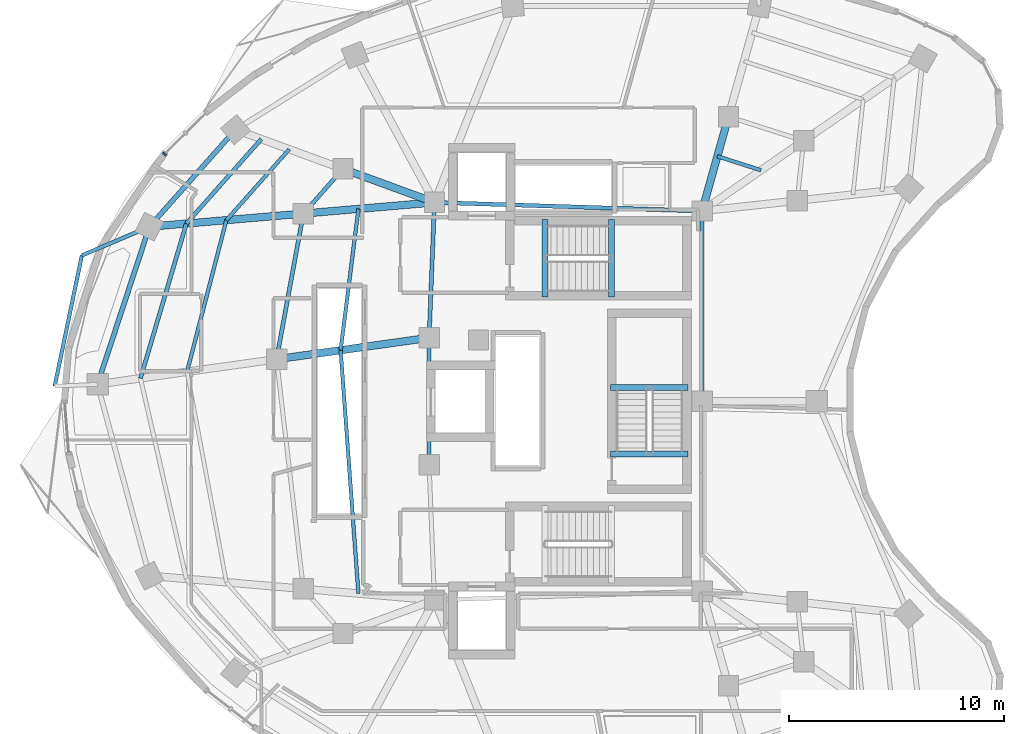
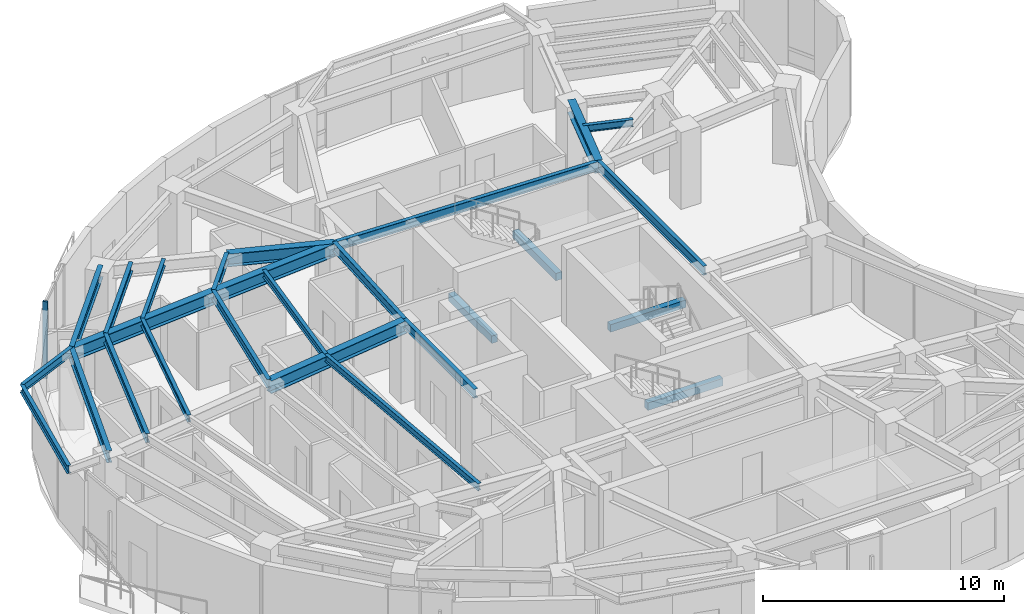
# One storey, part 3 of 13: 26 beams, 1 member, 1 element without a shape of its own.
"""IFC4 building model written with IfcOpenShell, lengths in metres."""

from ifc_helpers import new_model, si_unit, direction, frame, origin, origin_2d, place, context, subcontext, project, spatial, rectangle, i_section, extrude, material, layer, layer_set, material_profile, profile_set, type_object, element, aggregate, save


model = new_model("IFC4")

# Units and contexts
model_context = context("Model", 3, precision=1e-05, world=origin(), true_north=direction((0.0, 1.0)))
body_context = subcontext(model_context, "Body", "Model", "MODEL_VIEW")
ifc_project = project(units=[si_unit("LENGTHUNIT", "METRE"), si_unit("AREAUNIT", "SQUARE_METRE"), si_unit("VOLUMEUNIT", "CUBIC_METRE"), si_unit("PLANEANGLEUNIT", "RADIAN"), si_unit("MASSUNIT", "GRAM", prefix="KILO")], contexts=[model_context])

# Site, building, storey
site_placement = place(None, origin())
site = spatial("IfcSite", under=ifc_project, at=site_placement, CompositionType="ELEMENT")
building_placement = place(site_placement, origin())
building = spatial("IfcBuilding", under=site, at=building_placement, Name="Korentha Bioscience Tower", CompositionType="ELEMENT")
storey_placement = place(building_placement, frame((0.0, 0.0, 158.39990234375)))
storey = spatial("IfcBuildingStorey", under=building, at=storey_placement, Name="L36", CompositionType="ELEMENT", Elevation=158.39990234375)

# Beams
ifc_material_1 = material(Name="Concrete C50", Category="concrete")
ifc_material_profile_1 = material_profile(ifc_material_1, rectangle(XDim=0.280029296875, YDim=0.3798828125, at=origin_2d()), Name="Concrete C50")
ifc_profile_set_1 = profile_set([ifc_material_profile_1], Name="Concrete C50 (ST-HB380)")
beam_type_1 = type_object("IfcBeamType", Name="Concrete Stair Header Beam RC 280x380", PredefinedType="BEAM", material=ifc_profile_set_1)
for number, where, z_axis, x_axis, name in (
    (1, (30.25, 31.85009765625, -0.18994140625), (0.0, 1.0, 0.0), (-1.0, 0.0, 0.0), "L36 ST-1 Concrete Stair Header Beam"),
    (2, (33.330078125, 31.85009765625, 1.91015625), (0.0, 1.0, 0.0), (-1.0, 0.0, 0.0), "L36 ST-1 Half-Landing Header Beam 1"),
    (3, (36.89990234375, 24.550048828125, -0.18994140625), (-1.0, 0.0, 0.0), (0.0, -1.0, 0.0), "L36 ST-3 Concrete Stair Header Beam"),
    (4, (36.89990234375, 27.6298828125, 1.91015625), (-1.0, 0.0, 0.0), (0.0, -1.0, 0.0), "L36 ST-3 Half-Landing Header Beam 1"),
):
    element("IfcBeam", number, at=place(storey_placement, frame(where, z_axis=z_axis, x_axis=x_axis)), inside=storey, type_object=beam_type_1, Name=name, PredefinedType="BEAM", context=body_context, shape_type="SweptSolid", body=[
        extrude(rectangle(XDim=0.280029296875, YDim=0.3798828125, at=origin_2d()), origin(), (0.0, 0.0, 1.0), 3.599853515625),
    ])
ifc_material_2 = material(Name="Steel S355", Category="steel")
ifc_material_profile_2 = material_profile(ifc_material_2, i_section(OverallWidth=0.18994140625, OverallDepth=0.45703125, WebThickness=0.009033203125, FlangeThickness=0.014404296875, at=origin_2d()), Name="Steel S355")
ifc_profile_set_2 = profile_set([ifc_material_profile_2], Name="Steel S355 (MB-460)")
beam_type_2 = type_object("IfcBeamType", Name="Mid-Ring Tie Girder W460x74", PredefinedType="BEAM", material=ifc_profile_set_2)
beam_1_placement = place(storey_placement, frame((20.84228515625, 37.807861328125, 3.671630859375), z_axis=(-0.663512238321, -0.748165429299, 0.0), x_axis=(0.748165429299, -0.663512238321, 0.0)))
element("IfcBeam", 5, at=beam_1_placement, inside=storey, type_object=beam_type_2, Name="L36 Mid-Ring Tie Girder 05", PredefinedType="BEAM", context=body_context, shape_type="SweptSolid", body=[
    extrude(i_section(OverallWidth=0.18994140625, OverallDepth=0.45703125, WebThickness=0.009033203125, FlangeThickness=0.014404296875, at=origin_2d()), origin(), (0.0, 0.0, 1.0), 2.77734375),
])
beam_2_placement = place(storey_placement, frame((18.99951171875, 35.72998046875, 3.671630859375), z_axis=(-0.180880998363, -0.98350498953, 0.0), x_axis=(0.98350498953, -0.180880998363, 0.0)))
element("IfcBeam", 6, at=beam_2_placement, inside=storey, type_object=beam_type_2, Name="L36 Mid-Ring Tie Girder 06", PredefinedType="BEAM", context=body_context, shape_type="SweptSolid", body=[
    extrude(i_section(OverallWidth=0.18994140625, OverallDepth=0.45703125, WebThickness=0.009033203125, FlangeThickness=0.014404296875, at=origin_2d()), origin(), (0.0, 0.0, 1.0), 6.888916015625),
])
beam_3_placement = place(storey_placement, frame((37.550048828125, 35.85009765625, 3.671630859375), z_axis=(-0.999484526071, 0.032104238723, 0.0), x_axis=(-0.032104238723, -0.999484526071, 0.0)))
element("IfcBeam", 7, at=beam_3_placement, inside=storey, type_object=beam_type_2, Name="L36 Core Ring Tie Girder 01", PredefinedType="BEAM", context=body_context, shape_type="SweptSolid", body=[
    extrude(i_section(OverallWidth=0.18994140625, OverallDepth=0.45703125, WebThickness=0.009033203125, FlangeThickness=0.014404296875, at=origin_2d()), origin(), (0.0, 0.0, 1.0), 12.456298828125),
])
beam_4_placement = place(storey_placement, frame((25.10009765625, 36.25, 3.671630859375), z_axis=(-0.039651025576, -0.999213588864, 0.0), x_axis=(0.999213588864, -0.039651025576, 0.0)))
element("IfcBeam", 8, at=beam_4_placement, inside=storey, type_object=beam_type_2, Name="L36 Core Ring Tie Girder 02", PredefinedType="BEAM", context=body_context, shape_type="SweptSolid", body=[
    extrude(i_section(OverallWidth=0.18994140625, OverallDepth=0.45703125, WebThickness=0.009033203125, FlangeThickness=0.014404296875, at=origin_2d()), origin(), (0.0, 0.0, 1.0), 6.304931640625),
])
beam_5_placement = place(storey_placement, frame((24.85009765625, 29.949951171875, 3.671630859375), z_axis=(0.0, -1.0, 0.0), x_axis=(1.0, 0.0, 0.0)))
element("IfcBeam", 9, at=beam_5_placement, inside=storey, type_object=beam_type_2, Name="L36 Core Ring Tie Girder 03", PredefinedType="BEAM", context=body_context, shape_type="SweptSolid", body=[
    extrude(i_section(OverallWidth=0.18994140625, OverallDepth=0.45703125, WebThickness=0.009033203125, FlangeThickness=0.014404296875, at=origin_2d()), origin(), (0.0, 0.0, 1.0), 5.89990234375),
])
beam_6_placement = place(storey_placement, frame((37.550048828125, 27.0, 3.671630859375), z_axis=(0.0, 1.0, 0.0), x_axis=(-1.0, 0.0, 0.0)))
element("IfcBeam", 10, at=beam_6_placement, inside=storey, type_object=beam_type_2, Name="L36 Core Ring Tie Girder 07", PredefinedType="BEAM", context=body_context, shape_type="SweptSolid", body=[
    extrude(i_section(OverallWidth=0.18994140625, OverallDepth=0.45703125, WebThickness=0.009033203125, FlangeThickness=0.014404296875, at=origin_2d()), origin(), (0.0, 0.0, 1.0), 8.85009765625),
])

# Curtain wall, member
ifc_material_3 = material(Name="Thermally Broken Aluminium Frame", Category="aluminium")
ifc_layer = layer(ifc_material_3, 0.219970703125, Name="Thermally Broken Aluminium Frame")
ifc_layer_set = layer_set([ifc_layer], Name="Thermally Broken Aluminium Frame (CW-T1)")
curtain_wall_type = type_object("IfcCurtainWallType", Name="Standard Bioscience Lab Unitised Curtain Wall CW-T1", PredefinedType="USERDEFINED", material=ifc_layer_set)
curtain_wall_placement = place(storey_placement, origin())
curtain_wall = element("IfcCurtainWall", 11, at=curtain_wall_placement, inside=storey, type_object=curtain_wall_type, Name="L36 Curtain Wall 13", ObjectType="UNITISED", PredefinedType="USERDEFINED")
ifc_material_4 = material(Name="Anodised Aluminium 6063-T6", Category="aluminium")
ifc_material_profile_3 = material_profile(ifc_material_4, rectangle(XDim=0.090087890625, YDim=0.199951171875, at=origin_2d()), Name="Anodised Aluminium 6063-T6")
ifc_profile_set_3 = profile_set([ifc_material_profile_3], Name="Anodised Aluminium 6063-T6 (CW-MUL)")
member_type = type_object("IfcMemberType", Name="Mullion RECT 90x200", PredefinedType="MULLION", material=ifc_profile_set_3)
member_placement = place(storey_placement, frame((12.53515625, 38.502685546875, 0.0), z_axis=(0.0, 0.0, 1.0), x_axis=(-0.711460557971, -0.702726030862, 0.0)))
member = element("IfcMember", 12, at=member_placement, type_object=member_type, Name="CW-L36-13 Mullion 3", PredefinedType="MULLION", context=body_context, shape_type="SweptSolid", body=[
    extrude(rectangle(XDim=0.090087890625, YDim=0.199951171875, at=origin_2d()), origin(), (0.0, 0.0, 1.0), 3.900146484375),
])
aggregate(curtain_wall, [member])

# Beams
ifc_material_profile_4 = material_profile(ifc_material_2, i_section(OverallWidth=0.22802734375, OverallDepth=0.60791015625, WebThickness=0.01123046875, FlangeThickness=0.017333984375, at=origin_2d()), Name="Steel S355")
ifc_profile_set_4 = profile_set([ifc_material_profile_4], Name="Steel S355 (SB-610)")
beam_type_3 = type_object("IfcBeamType", Name="Perimeter Ring Spandrel Girder W610x113", PredefinedType="SPANDREL", material=ifc_profile_set_4)
beam_7_placement = place(storey_placement, frame((15.843994140625, 39.63671875, 3.59619140625), z_axis=(-0.663502544942, -0.748174025782, 0.0), x_axis=(0.748174025782, -0.663502544942, 0.0)))
element("IfcBeam", 13, at=beam_7_placement, inside=storey, type_object=beam_type_3, Name="L36 Perimeter Spandrel Girder 05", PredefinedType="SPANDREL", context=body_context, shape_type="SweptSolid", body=[
    extrude(i_section(OverallWidth=0.22802734375, OverallDepth=0.60791015625, WebThickness=0.01123046875, FlangeThickness=0.017333984375, at=origin_2d()), origin(), (0.0, 0.0, 1.0), 6.037841796875),
])
beam_8_placement = place(storey_placement, frame((11.837890625, 35.119384765625, 3.59619140625), z_axis=(-0.312820215824, -0.949812356506, 0.0), x_axis=(0.949812356506, -0.312820215824, 0.0)))
element("IfcBeam", 14, at=beam_8_placement, inside=storey, type_object=beam_type_3, Name="L36 Perimeter Spandrel Girder 06", PredefinedType="SPANDREL", context=body_context, shape_type="SweptSolid", body=[
    extrude(i_section(OverallWidth=0.22802734375, OverallDepth=0.60791015625, WebThickness=0.01123046875, FlangeThickness=0.017333984375, at=origin_2d()), origin(), (0.0, 0.0, 1.0), 7.720947265625),
])
ifc_material_profile_5 = material_profile(ifc_material_2, i_section(OverallWidth=0.18994140625, OverallDepth=0.45703125, WebThickness=0.009033203125, FlangeThickness=0.014404296875, at=origin_2d()), Name="Steel S355")
ifc_profile_set_5 = profile_set([ifc_material_profile_5], Name="Steel S355 (RB-460)")
beam_type_4 = type_object("IfcBeamType", Name="Radial Laboratory Beam W460x74", PredefinedType="BEAM", material=ifc_profile_set_5)
beam_9_placement = place(storey_placement, frame((17.043701171875, 39.197998046875, 3.671630859375), z_axis=(-0.663495511182, -0.748180263467, 0.0), x_axis=(0.748180263467, -0.663495511182, 0.0)))
element("IfcBeam", 15, at=beam_9_placement, inside=storey, type_object=beam_type_4, Name="L36 Secondary Floor Beam JSTO-05", PredefinedType="BEAM", context=body_context, shape_type="SweptSolid", body=[
    extrude(i_section(OverallWidth=0.18994140625, OverallDepth=0.45703125, WebThickness=0.009033203125, FlangeThickness=0.014404296875, at=origin_2d()), origin(), (0.0, 0.0, 1.0), 5.255615234375),
])
beam_10_placement = place(storey_placement, frame((13.556640625, 35.265869140625, 3.671630859375), z_axis=(-0.284283148615, -0.958740367051, 0.0), x_axis=(0.958740367051, -0.284283148615, 0.0)))
element("IfcBeam", 16, at=beam_10_placement, inside=storey, type_object=beam_type_4, Name="L36 Secondary Floor Beam JSTO-06", PredefinedType="BEAM", context=body_context, shape_type="SweptSolid", body=[
    extrude(i_section(OverallWidth=0.18994140625, OverallDepth=0.45703125, WebThickness=0.009033203125, FlangeThickness=0.014404296875, at=origin_2d()), origin(), (0.0, 0.0, 1.0), 7.50927734375),
])
ifc_material_profile_6 = material_profile(ifc_material_2, i_section(OverallWidth=0.35009765625, OverallDepth=0.64990234375, WebThickness=0.01611328125, FlangeThickness=0.02490234375, at=origin_2d()), Name="Steel S355")
ifc_profile_set_6 = profile_set([ifc_material_profile_6], Name="Steel S355 (RB-650)")
beam_type_5 = type_object("IfcBeamType", Name="Radial Laboratory Girder CVS 650x208", PredefinedType="BEAM", material=ifc_profile_set_6)
beam_11_placement = place(storey_placement, frame((37.550048828125, 35.85009765625, 3.5751953125), z_axis=(0.269477001654, 0.963006825303, 0.0), x_axis=(-0.963006825303, 0.269477001654, 0.0)))
element("IfcBeam", 17, at=beam_11_placement, inside=storey, type_object=beam_type_5, Name="L36 Inner Radial Girder 02", PredefinedType="BEAM", context=body_context, shape_type="SweptSolid", body=[
    extrude(i_section(OverallWidth=0.35009765625, OverallDepth=0.64990234375, WebThickness=0.01611328125, FlangeThickness=0.02490234375, at=origin_2d()), origin(), (0.0, 0.0, 1.0), 4.559814453125),
])
beam_12_placement = place(storey_placement, frame((25.10009765625, 36.25, 3.5751953125), z_axis=(-0.939113952431, 0.343605856105, 0.0), x_axis=(-0.343605856105, -0.939113952431, 0.0)))
element("IfcBeam", 18, at=beam_12_placement, inside=storey, type_object=beam_type_5, Name="L36 Inner Radial Girder 05", PredefinedType="BEAM", context=body_context, shape_type="SweptSolid", body=[
    extrude(i_section(OverallWidth=0.35009765625, OverallDepth=0.64990234375, WebThickness=0.01611328125, FlangeThickness=0.02490234375, at=origin_2d()), origin(), (0.0, 0.0, 1.0), 4.533935546875),
])
beam_13_placement = place(storey_placement, frame((25.10009765625, 36.25, 3.5751953125), z_axis=(-0.996386672138, -0.084932912264, 0.0), x_axis=(0.084932912264, -0.996386672138, 0.0)))
element("IfcBeam", 19, at=beam_13_placement, inside=storey, type_object=beam_type_5, Name="L36 Inner Radial Girder 06", PredefinedType="BEAM", context=body_context, shape_type="SweptSolid", body=[
    extrude(i_section(OverallWidth=0.35009765625, OverallDepth=0.64990234375, WebThickness=0.01611328125, FlangeThickness=0.02490234375, at=origin_2d()), origin(), (0.0, 0.0, 1.0), 6.122802734375),
])
beam_14_placement = place(storey_placement, frame((18.99951171875, 35.72998046875, 3.5751953125), z_axis=(-0.996385111181, -0.084951222577, 0.0), x_axis=(0.084951222577, -0.996385111181, 0.0)))
element("IfcBeam", 20, at=beam_14_placement, inside=storey, type_object=beam_type_5, Name="L36 Outer Radial Girder 06", PredefinedType="BEAM", context=body_context, shape_type="SweptSolid", body=[
    extrude(i_section(OverallWidth=0.35009765625, OverallDepth=0.64990234375, WebThickness=0.01611328125, FlangeThickness=0.02490234375, at=origin_2d()), origin(), (0.0, 0.0, 1.0), 7.1875),
])
beam_15_placement = place(storey_placement, frame((24.85009765625, 29.949951171875, 3.5751953125), z_axis=(-0.990306724295, -0.138897774699, 0.0), x_axis=(0.138897774699, -0.990306724295, 0.0)))
element("IfcBeam", 21, at=beam_15_placement, inside=storey, type_object=beam_type_5, Name="L36 Inner Radial Girder 07", PredefinedType="BEAM", context=body_context, shape_type="SweptSolid", body=[
    extrude(i_section(OverallWidth=0.35009765625, OverallDepth=0.64990234375, WebThickness=0.01611328125, FlangeThickness=0.02490234375, at=origin_2d()), origin(), (0.0, 0.0, 1.0), 7.166259765625),
])
ifc_material_profile_7 = material_profile(ifc_material_2, i_section(OverallWidth=0.1708984375, OverallDepth=0.35498046875, WebThickness=0.007080078125, FlangeThickness=0.01171875, at=origin_2d()), Name="Steel S355")
ifc_profile_set_7 = profile_set([ifc_material_profile_7], Name="Steel S355 (JB-360)")
beam_type_6 = type_object("IfcBeamType", Name="Secondary Laboratory Joist W360x51", PredefinedType="JOIST", material=ifc_profile_set_7)
beam_16_placement = place(storey_placement, frame((40.290283203125, 37.7451171875, 3.72265625), z_axis=(-0.952010669267, 0.306064838885, 0.0), x_axis=(-0.306064838885, -0.952010669267, 0.0)))
element("IfcBeam", 22, at=beam_16_placement, inside=storey, type_object=beam_type_6, Name="L36 Inner Bay Joist 01", PredefinedType="JOIST", context=body_context, shape_type="SweptSolid", body=[
    extrude(i_section(OverallWidth=0.1708984375, OverallDepth=0.35498046875, WebThickness=0.007080078125, FlangeThickness=0.01171875, at=origin_2d()), origin(), (0.0, 0.0, 1.0), 2.1298828125),
])
beam_17_placement = place(storey_placement, frame((18.343017578125, 38.722412109375, 3.72265625), z_axis=(-0.663462598754, -0.748209449322, 0.0), x_axis=(0.748209449322, -0.663462598754, 0.0)))
element("IfcBeam", 23, at=beam_17_placement, inside=storey, type_object=beam_type_6, Name="L36 Secondary Floor Beam JST-05", PredefinedType="JOIST", context=body_context, shape_type="SweptSolid", body=[
    extrude(i_section(OverallWidth=0.1708984375, OverallDepth=0.35498046875, WebThickness=0.007080078125, FlangeThickness=0.01171875, at=origin_2d()), origin(), (0.0, 0.0, 1.0), 4.40771484375),
])
beam_18_placement = place(storey_placement, frame((15.418701171875, 35.424560546875, 3.72265625), z_axis=(-0.251203958933, -0.967934177006, 0.0), x_axis=(0.967934177006, -0.251203958933, 0.0)))
element("IfcBeam", 24, at=beam_18_placement, inside=storey, type_object=beam_type_6, Name="L36 Secondary Floor Beam JST-06", PredefinedType="JOIST", context=body_context, shape_type="SweptSolid", body=[
    extrude(i_section(OverallWidth=0.1708984375, OverallDepth=0.35498046875, WebThickness=0.007080078125, FlangeThickness=0.01171875, at=origin_2d()), origin(), (0.0, 0.0, 1.0), 7.2880859375),
])
beam_19_placement = place(storey_placement, frame((21.561767578125, 35.9482421875, 3.72265625), z_axis=(-0.124914239886, -0.992167542643, 0.0), x_axis=(0.992167542643, -0.124914239886, 0.0)))
element("IfcBeam", 25, at=beam_19_placement, inside=storey, type_object=beam_type_6, Name="L36 Inner Bay Joist 06", PredefinedType="JOIST", context=body_context, shape_type="SweptSolid", body=[
    extrude(i_section(OverallWidth=0.1708984375, OverallDepth=0.35498046875, WebThickness=0.007080078125, FlangeThickness=0.01171875, at=origin_2d()), origin(), (0.0, 0.0, 1.0), 6.627685546875),
])
beam_20_placement = place(storey_placement, frame((20.73388671875, 29.37255859375, 3.72265625), z_axis=(0.072934416258, -0.997336738983, 0.0), x_axis=(0.997336738983, 0.072934416258, 0.0)))
element("IfcBeam", 26, at=beam_20_placement, inside=storey, type_object=beam_type_6, Name="L36 Inner Bay Joist 07", PredefinedType="JOIST", context=body_context, shape_type="SweptSolid", body=[
    extrude(i_section(OverallWidth=0.1708984375, OverallDepth=0.35498046875, WebThickness=0.007080078125, FlangeThickness=0.01171875, at=origin_2d()), origin(), (0.0, 0.0, 1.0), 11.35107421875),
])
ifc_material_profile_8 = material_profile(ifc_material_2, i_section(OverallWidth=0.177978515625, OverallDepth=0.406982421875, WebThickness=0.0078125, FlangeThickness=0.0126953125, at=origin_2d()), Name="Steel S355")
ifc_profile_set_8 = profile_set([ifc_material_profile_8], Name="Steel S355 (CB-410)")
beam_type_7 = type_object("IfcBeamType", Name="Sun-Ledge Cantilever Beam W410x60", PredefinedType="BEAM", material=ifc_profile_set_8)
beam_21_placement = place(storey_placement, frame((11.837890625, 35.119384765625, 3.698486328125), z_axis=(-0.920106971174, -0.391667156648, 0.0), x_axis=(0.391667156648, -0.920106971174, 0.0)))
element("IfcBeam", 27, at=beam_21_placement, inside=storey, type_object=beam_type_7, Name="L36 Balcony Cantilever Bracket A-L37-02", PredefinedType="BEAM", context=body_context, shape_type="SweptSolid", body=[
    extrude(i_section(OverallWidth=0.177978515625, OverallDepth=0.406982421875, WebThickness=0.0078125, FlangeThickness=0.0126953125, at=origin_2d()), origin(), (0.0, 0.0, 1.0), 3.41650390625),
])
beam_22_placement = place(storey_placement, frame((8.6943359375, 33.78125, 3.698486328125), z_axis=(-0.203313854561, -0.979113617791, 0.0), x_axis=(0.979113617791, -0.203313854561, 0.0)))
element("IfcBeam", 28, at=beam_22_placement, inside=storey, type_object=beam_type_7, Name="L36 Balcony Edge Trimmer Beam L37-02", PredefinedType="BEAM", context=body_context, shape_type="SweptSolid", body=[
    extrude(i_section(OverallWidth=0.177978515625, OverallDepth=0.406982421875, WebThickness=0.0078125, FlangeThickness=0.0126953125, at=origin_2d()), origin(), (0.0, 0.0, 1.0), 6.211669921875),
])

save(model, "model.ifc")
